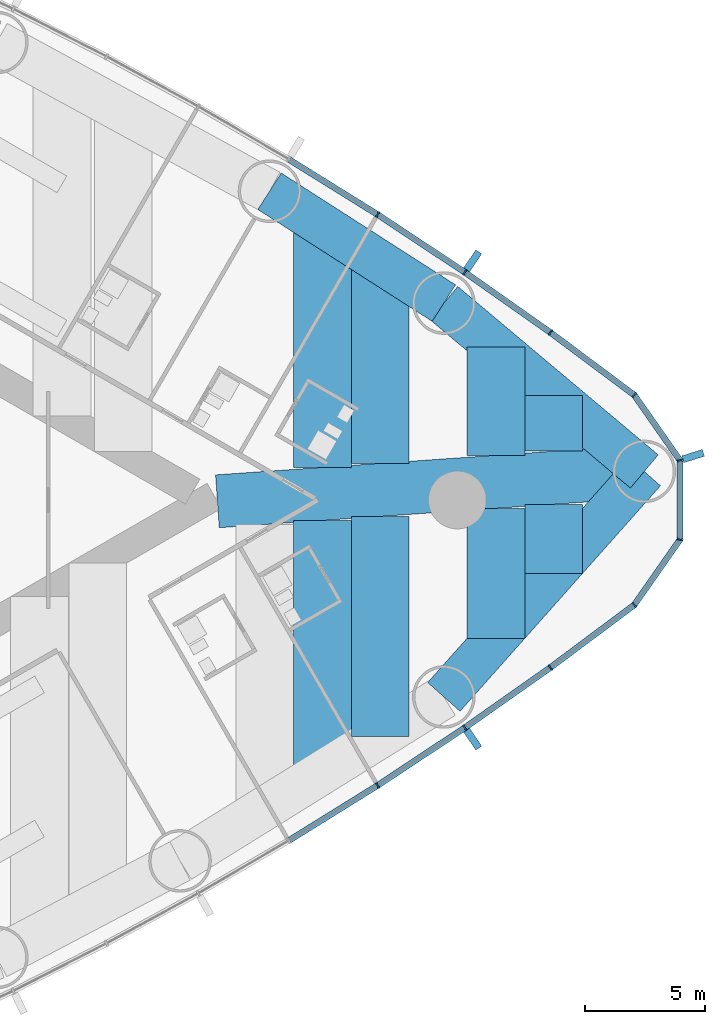
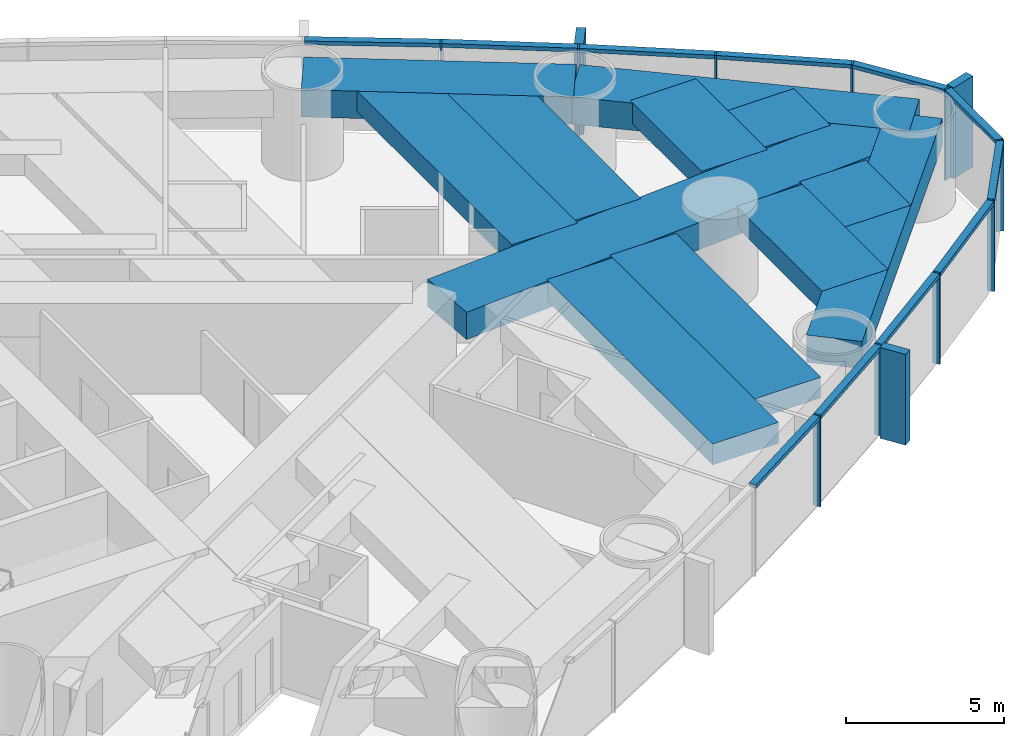
# One storey, part 8 of 18: 24 members, 12 beams, 1 element without a shape of its own.
"""IFC4 building model written with IfcOpenShell, lengths in metres."""

from ifc_helpers import new_model, si_unit, direction, frame, origin, origin_2d, place, context, subcontext, project, spatial, rectangle, extrude, material, material_profile, profile_set, type_object, element, aggregate, save


model = new_model("IFC4")

# Units and contexts
model_context = context("Model", 3, precision=1e-05, world=origin(), true_north=direction((0.0, 1.0)))
body_context = subcontext(model_context, "Body", "Model", "MODEL_VIEW")
ifc_project = project(units=[si_unit("LENGTHUNIT", "METRE"), si_unit("AREAUNIT", "SQUARE_METRE"), si_unit("VOLUMEUNIT", "CUBIC_METRE"), si_unit("PLANEANGLEUNIT", "RADIAN"), si_unit("MASSUNIT", "GRAM", prefix="KILO")], contexts=[model_context])

# Site, building, storey
site_placement = place(None, origin())
site = spatial("IfcSite", under=ifc_project, at=site_placement, CompositionType="ELEMENT")
building_placement = place(site_placement, origin())
building = spatial("IfcBuilding", under=site, at=building_placement, Name="Lancet Gate Hotel", CompositionType="ELEMENT")
storey_placement = place(building_placement, frame((0.0, 0.0, 104.60009765625)))
storey = spatial("IfcBuildingStorey", under=building, at=storey_placement, Name="L27", CompositionType="ELEMENT", Elevation=104.60009765625)

# Curtain wall, members
ifc_material_1 = material(Name="Aluminium curtain wall", Category="aluminium")
curtain_wall_type = type_object("IfcCurtainWallType", Name="Tower unitised curtain wall", PredefinedType="USERDEFINED", material=ifc_material_1)
curtain_wall_placement = place(storey_placement, origin())
curtain_wall = element("IfcCurtainWall", 1, at=curtain_wall_placement, inside=storey, type_object=curtain_wall_type, Name="T2 L27 curtain wall 1", ObjectType="UNITISED CURTAIN WALL", PredefinedType="USERDEFINED")
ifc_material_2 = material(Name="Aluminium mullion", Category="aluminium")
ifc_material_profile_1 = material_profile(ifc_material_2, rectangle(XDim=0.06494140625, YDim=0.25, at=origin_2d()), Name="MULLION 65x250")
ifc_profile_set_1 = profile_set([ifc_material_profile_1], Name="Aluminium mullion")
member_type_1 = type_object("IfcMemberType", Name="Aluminium mullion 65x250", PredefinedType="MULLION", material=ifc_profile_set_1)
member_1_placement = place(storey_placement, frame((58.188720703125, -11.8603515625, 0.0), z_axis=(0.0, 0.0, 1.0), x_axis=(0.841736224144, 0.539888996891, 0.0)))
member_1 = element("IfcMember", 2, at=member_1_placement, type_object=member_type_1, Name="T2 L27 curtain wall 1 mullion 13", PredefinedType="MULLION", context=body_context, shape_type="SweptSolid", body=[
    extrude(rectangle(XDim=0.06494140625, YDim=0.25, at=origin_2d()), origin(), (0.0, 0.0, 1.0), 3.5),
])
member_2_placement = place(storey_placement, frame((61.814208984375, -9.461669921875, 0.0), z_axis=(0.0, 0.0, 1.0), x_axis=(0.826065510491, 0.563574105489, 0.0)))
member_2 = element("IfcMember", 3, at=member_2_placement, type_object=member_type_1, Name="T2 L27 curtain wall 1 mullion 14", PredefinedType="MULLION", context=body_context, shape_type="SweptSolid", body=[
    extrude(rectangle(XDim=0.06494140625, YDim=0.25, at=origin_2d()), origin(), (0.0, 0.0, 1.0), 3.5),
])
member_3_placement = place(storey_placement, frame((65.370361328125, -6.9609375, 0.0), z_axis=(0.0, 0.0, 1.0), x_axis=(0.809728529035, 0.586804660229, 0.0)))
member_3 = element("IfcMember", 4, at=member_3_placement, type_object=member_type_1, Name="T2 L27 curtain wall 1 mullion 15", PredefinedType="MULLION", context=body_context, shape_type="SweptSolid", body=[
    extrude(rectangle(XDim=0.06494140625, YDim=0.25, at=origin_2d()), origin(), (0.0, 0.0, 1.0), 3.5),
])
member_4_placement = place(storey_placement, frame((68.853759765625, -4.360107421875, 0.0), z_axis=(0.0, 0.0, 1.0), x_axis=(0.711610374907, 0.702574319432, 0.0)))
member_4 = element("IfcMember", 5, at=member_4_placement, type_object=member_type_1, Name="T2 L27 curtain wall 1 mullion 16", PredefinedType="MULLION", context=body_context, shape_type="SweptSolid", body=[
    extrude(rectangle(XDim=0.06494140625, YDim=0.25, at=origin_2d()), origin(), (0.0, 0.0, 1.0), 3.5),
])
member_5_placement = place(storey_placement, frame((70.747314453125, -1.652099609375, 0.0), z_axis=(0.0, 0.0, 1.0), x_axis=(0.300384890639, 0.953818073574, 0.0)))
member_5 = element("IfcMember", 6, at=member_5_placement, type_object=member_type_1, Name="T2 L27 curtain wall 1 mullion 17", PredefinedType="MULLION", context=body_context, shape_type="SweptSolid", body=[
    extrude(rectangle(XDim=0.06494140625, YDim=0.25, at=origin_2d()), origin(), (0.0, 0.0, 1.0), 3.5),
])
member_6_placement = place(storey_placement, frame((70.747314453125, 1.652099609375, 0.0), z_axis=(0.0, 0.0, 1.0), x_axis=(-0.300384890639, 0.953818073574, 0.0)))
member_6 = element("IfcMember", 7, at=member_6_placement, type_object=member_type_1, Name="T2 L27 curtain wall 1 mullion 18", PredefinedType="MULLION", context=body_context, shape_type="SweptSolid", body=[
    extrude(rectangle(XDim=0.06494140625, YDim=0.25, at=origin_2d()), origin(), (0.0, 0.0, 1.0), 3.5),
])
member_7_placement = place(storey_placement, frame((68.853759765625, 4.360107421875, 0.0), z_axis=(0.0, 0.0, 1.0), x_axis=(-0.711610374907, 0.702574319432, 0.0)))
member_7 = element("IfcMember", 8, at=member_7_placement, type_object=member_type_1, Name="T2 L27 curtain wall 1 mullion 19", PredefinedType="MULLION", context=body_context, shape_type="SweptSolid", body=[
    extrude(rectangle(XDim=0.06494140625, YDim=0.25, at=origin_2d()), origin(), (0.0, 0.0, 1.0), 3.5),
])
member_8_placement = place(storey_placement, frame((65.370361328125, 6.9609375, 0.0), z_axis=(0.0, 0.0, 1.0), x_axis=(-0.809728529035, 0.586804660229, 0.0)))
member_8 = element("IfcMember", 9, at=member_8_placement, type_object=member_type_1, Name="T2 L27 curtain wall 1 mullion 20", PredefinedType="MULLION", context=body_context, shape_type="SweptSolid", body=[
    extrude(rectangle(XDim=0.06494140625, YDim=0.25, at=origin_2d()), origin(), (0.0, 0.0, 1.0), 3.5),
])
member_9_placement = place(storey_placement, frame((61.814208984375, 9.461669921875, 0.0), z_axis=(0.0, 0.0, 1.0), x_axis=(-0.826065510491, 0.563574105489, 0.0)))
member_9 = element("IfcMember", 10, at=member_9_placement, type_object=member_type_1, Name="T2 L27 curtain wall 1 mullion 21", PredefinedType="MULLION", context=body_context, shape_type="SweptSolid", body=[
    extrude(rectangle(XDim=0.06494140625, YDim=0.25, at=origin_2d()), origin(), (0.0, 0.0, 1.0), 3.5),
])
member_10_placement = place(storey_placement, frame((58.188720703125, 11.8603515625, 0.0), z_axis=(0.0, 0.0, 1.0), x_axis=(-0.841736224144, 0.539888996891, 0.0)))
member_10 = element("IfcMember", 11, at=member_10_placement, type_object=member_type_1, Name="T2 L27 curtain wall 1 mullion 22", PredefinedType="MULLION", context=body_context, shape_type="SweptSolid", body=[
    extrude(rectangle(XDim=0.06494140625, YDim=0.25, at=origin_2d()), origin(), (0.0, 0.0, 1.0), 3.5),
])
ifc_material_3 = material(Name="Aluminium transom", Category="aluminium")
ifc_material_profile_2 = material_profile(ifc_material_3, rectangle(XDim=0.25, YDim=0.14990234375, at=origin_2d()), Name="TRANSOM 250x150")
ifc_profile_set_2 = profile_set([ifc_material_profile_2], Name="Aluminium transom")
member_type_2 = type_object("IfcMemberType", Name="Aluminium transom 250x150", PredefinedType="USERDEFINED", material=ifc_profile_set_2)
member_11_placement = place(storey_placement, frame((54.52392578125, -14.13818359375, 3.4248046875), z_axis=(0.849308812566, 0.527896335371, 0.0), x_axis=(-0.527896335371, 0.849308812566, 0.0)))
member_11 = element("IfcMember", 12, at=member_11_placement, type_object=member_type_2, Name="T2 L27 curtain wall 1 transom 12", ObjectType="TRANSOM", PredefinedType="USERDEFINED", context=body_context, shape_type="SweptSolid", body=[
    extrude(rectangle(XDim=0.25, YDim=0.14990234375, at=origin_2d()), origin(), (0.0, 0.0, 1.0), 4.282470703125),
])
member_12_placement = place(storey_placement, frame((58.2158203125, -11.842529296875, 3.4248046875), z_axis=(0.833966159038, 0.551815590192, 0.0), x_axis=(-0.551815590192, 0.833966159038, 0.0)))
member_12 = element("IfcMember", 13, at=member_12_placement, type_object=member_type_2, Name="T2 L27 curtain wall 1 transom 13", ObjectType="TRANSOM", PredefinedType="USERDEFINED", context=body_context, shape_type="SweptSolid", body=[
    extrude(rectangle(XDim=0.25, YDim=0.14990234375, at=origin_2d()), origin(), (0.0, 0.0, 1.0), 4.2822265625),
])
member_13_placement = place(storey_placement, frame((61.8408203125, -9.44287109375, 3.4248046875), z_axis=(0.817987243547, 0.57523635959, 0.0), x_axis=(-0.57523635959, 0.817987243547, 0.0)))
member_13 = element("IfcMember", 14, at=member_13_placement, type_object=member_type_2, Name="T2 L27 curtain wall 1 transom 14", ObjectType="TRANSOM", PredefinedType="USERDEFINED", context=body_context, shape_type="SweptSolid", body=[
    extrude(rectangle(XDim=0.25, YDim=0.14990234375, at=origin_2d()), origin(), (0.0, 0.0, 1.0), 4.282470703125),
])
member_14_placement = place(storey_placement, frame((65.396240234375, -6.94140625, 3.4248046875), z_axis=(0.801311559064, 0.598247261014, 0.0), x_axis=(-0.598247261014, 0.801311559064, 0.0)))
member_14 = element("IfcMember", 15, at=member_14_placement, type_object=member_type_2, Name="T2 L27 curtain wall 1 transom 15", ObjectType="TRANSOM", PredefinedType="USERDEFINED", context=body_context, shape_type="SweptSolid", body=[
    extrude(rectangle(XDim=0.25, YDim=0.14990234375, at=origin_2d()), origin(), (0.0, 0.0, 1.0), 4.282470703125),
])
member_15_placement = place(storey_placement, frame((68.87255859375, -4.33349609375, 3.4248046875), z_axis=(0.573017137751, 0.819543384967, 0.0), x_axis=(-0.819543384967, 0.573017137751, 0.0)))
member_15 = element("IfcMember", 16, at=member_15_placement, type_object=member_type_2, Name="T2 L27 curtain wall 1 transom 16", ObjectType="TRANSOM", PredefinedType="USERDEFINED", context=body_context, shape_type="SweptSolid", body=[
    extrude(rectangle(XDim=0.25, YDim=0.14990234375, at=origin_2d()), origin(), (0.0, 0.0, 1.0), 3.2392578125),
])
member_16_placement = place(storey_placement, frame((70.747314453125, -1.61962890625, 3.4248046875), z_axis=(0.0, 1.0, 0.0), x_axis=(-1.0, 0.0, 0.0)))
member_16 = element("IfcMember", 17, at=member_16_placement, type_object=member_type_2, Name="T2 L27 curtain wall 1 transom 17", ObjectType="TRANSOM", PredefinedType="USERDEFINED", context=body_context, shape_type="SweptSolid", body=[
    extrude(rectangle(XDim=0.25, YDim=0.14990234375, at=origin_2d()), origin(), (0.0, 0.0, 1.0), 3.2392578125),
])
member_17_placement = place(storey_placement, frame((70.728759765625, 1.6787109375, 3.4248046875), z_axis=(-0.573017137751, 0.819543384967, 0.0), x_axis=(-0.819543384967, -0.573017137751, 0.0)))
member_17 = element("IfcMember", 18, at=member_17_placement, type_object=member_type_2, Name="T2 L27 curtain wall 1 transom 18", ObjectType="TRANSOM", PredefinedType="USERDEFINED", context=body_context, shape_type="SweptSolid", body=[
    extrude(rectangle(XDim=0.25, YDim=0.14990234375, at=origin_2d()), origin(), (0.0, 0.0, 1.0), 3.2392578125),
])
member_18_placement = place(storey_placement, frame((68.827880859375, 4.37939453125, 3.4248046875), z_axis=(-0.801311559064, 0.598247261014, 0.0), x_axis=(-0.598247261014, -0.801311559064, 0.0)))
member_18 = element("IfcMember", 19, at=member_18_placement, type_object=member_type_2, Name="T2 L27 curtain wall 1 transom 19", ObjectType="TRANSOM", PredefinedType="USERDEFINED", context=body_context, shape_type="SweptSolid", body=[
    extrude(rectangle(XDim=0.25, YDim=0.14990234375, at=origin_2d()), origin(), (0.0, 0.0, 1.0), 4.282470703125),
])
member_19_placement = place(storey_placement, frame((65.34375, 6.9794921875, 3.4248046875), z_axis=(-0.817987243547, 0.57523635959, 0.0), x_axis=(-0.57523635959, -0.817987243547, 0.0)))
member_19 = element("IfcMember", 20, at=member_19_placement, type_object=member_type_2, Name="T2 L27 curtain wall 1 transom 20", ObjectType="TRANSOM", PredefinedType="USERDEFINED", context=body_context, shape_type="SweptSolid", body=[
    extrude(rectangle(XDim=0.25, YDim=0.14990234375, at=origin_2d()), origin(), (0.0, 0.0, 1.0), 4.282470703125),
])
member_20_placement = place(storey_placement, frame((61.787109375, 9.4794921875, 3.4248046875), z_axis=(-0.833966159038, 0.551815590192, 0.0), x_axis=(-0.551815590192, -0.833966159038, 0.0)))
member_20 = element("IfcMember", 21, at=member_20_placement, type_object=member_type_2, Name="T2 L27 curtain wall 1 transom 21", ObjectType="TRANSOM", PredefinedType="USERDEFINED", context=body_context, shape_type="SweptSolid", body=[
    extrude(rectangle(XDim=0.25, YDim=0.14990234375, at=origin_2d()), origin(), (0.0, 0.0, 1.0), 4.2822265625),
])
member_21_placement = place(storey_placement, frame((58.1611328125, 11.87744140625, 3.4248046875), z_axis=(-0.849308812566, 0.527896335371, 0.0), x_axis=(-0.527896335371, -0.849308812566, 0.0)))
member_21 = element("IfcMember", 22, at=member_21_placement, type_object=member_type_2, Name="T2 L27 curtain wall 1 transom 22", ObjectType="TRANSOM", PredefinedType="USERDEFINED", context=body_context, shape_type="SweptSolid", body=[
    extrude(rectangle(XDim=0.25, YDim=0.14990234375, at=origin_2d()), origin(), (0.0, 0.0, 1.0), 4.282470703125),
])

# Beams
ifc_material_4 = material(Name="Concrete C50/60", Category="concrete")
ifc_material_profile_3 = material_profile(ifc_material_4, rectangle(XDim=1.800048828125, YDim=1.050048828125, at=origin_2d()), Name="RC 1800x1050")
ifc_profile_set_3 = profile_set([ifc_material_profile_3], Name="Concrete C50/60")
beam_type_1 = type_object("IfcBeamType", Name="Edge beam RC 1800x1050", PredefinedType="SPANDREL", material=ifc_profile_set_3)
beam_1_placement = place(storey_placement, frame((60.940673828125, -8.18115234375, 2.724853515625), z_axis=(0.664421866815, 0.74735773422, 0.0), x_axis=(-0.74735773422, 0.664421866815, 0.0)))
element("IfcBeam", 23, at=beam_1_placement, inside=storey, type_object=beam_type_1, Name="T2 edge beam EB1 L27", PredefinedType="SPANDREL", context=body_context, shape_type="SweptSolid", body=[
    extrude(rectangle(XDim=1.800048828125, YDim=1.050048828125, at=origin_2d()), origin(), (0.0, 0.0, 1.0), 12.534423828125),
])
beam_2_placement = place(storey_placement, frame((69.268798828125, 1.1865234375, 2.724853515625), z_axis=(-0.765749969712, 0.643138386264, 0.0), x_axis=(-0.643138386264, -0.765749969712, 0.0)))
element("IfcBeam", 24, at=beam_2_placement, inside=storey, type_object=beam_type_1, Name="T2 edge beam EB1 L27", PredefinedType="SPANDREL", context=body_context, shape_type="SweptSolid", body=[
    extrude(rectangle(XDim=1.800048828125, YDim=1.050048828125, at=origin_2d()), origin(), (0.0, 0.0, 1.0), 10.875732421875),
])
beam_3_placement = place(storey_placement, frame((60.940673828125, 8.18115234375, 2.724853515625), z_axis=(-0.841727408736, 0.539902740669, 0.0), x_axis=(-0.539902740669, -0.841727408736, 0.0)))
element("IfcBeam", 25, at=beam_3_placement, inside=storey, type_object=beam_type_1, Name="T2 edge beam EB1 L27", PredefinedType="SPANDREL", context=body_context, shape_type="SweptSolid", body=[
    extrude(rectangle(XDim=1.800048828125, YDim=1.050048828125, at=origin_2d()), origin(), (0.0, 0.0, 1.0), 8.605712890625),
])

# Member
ifc_material_5 = material(Name="Precast concrete C50/60", Category="concrete")
ifc_material_profile_4 = material_profile(ifc_material_5, rectangle(XDim=0.300048828125, YDim=0.89990234375, at=origin_2d()), Name="FIN 300x900")
ifc_profile_set_4 = profile_set([ifc_material_profile_4], Name="Precast concrete C50/60")
member_type_3 = type_object("IfcMemberType", Name="Exposed concrete fin 300x900", PredefinedType="USERDEFINED", material=ifc_profile_set_4)
member_22_placement = place(storey_placement, frame((62.138427734375, -9.9365234375, 0.0), z_axis=(0.0, 0.0, 1.0), x_axis=(0.826065510491, 0.563574105489, 0.0)))
member_22 = element("IfcMember", 26, at=member_22_placement, type_object=member_type_3, Name="T2 L27 curtain wall 1 fin 14", ObjectType="FIN", PredefinedType="USERDEFINED", context=body_context, shape_type="SweptSolid", body=[
    extrude(rectangle(XDim=0.300048828125, YDim=0.89990234375, at=origin_2d()), origin(), (0.0, 0.0, 1.0), 3.5),
])

member_23_placement = place(storey_placement, frame((71.295654296875, 1.824951171875, 0.0), z_axis=(0.0, 0.0, 1.0), x_axis=(-0.300384890639, 0.953818073574, 0.0)))
member_23 = element("IfcMember", 27, at=member_23_placement, type_object=member_type_3, Name="T2 L27 curtain wall 1 fin 18", ObjectType="FIN", PredefinedType="USERDEFINED", context=body_context, shape_type="SweptSolid", body=[
    extrude(rectangle(XDim=0.300048828125, YDim=0.89990234375, at=origin_2d()), origin(), (0.0, 0.0, 1.0), 3.5),
])

member_24_placement = place(storey_placement, frame((62.138427734375, 9.9365234375, 0.0), z_axis=(0.0, 0.0, 1.0), x_axis=(-0.826065510491, 0.563574105489, 0.0)))
member_24 = element("IfcMember", 28, at=member_24_placement, type_object=member_type_3, Name="T2 L27 curtain wall 1 fin 21", ObjectType="FIN", PredefinedType="USERDEFINED", context=body_context, shape_type="SweptSolid", body=[
    extrude(rectangle(XDim=0.300048828125, YDim=0.89990234375, at=origin_2d()), origin(), (0.0, 0.0, 1.0), 3.5),
])

aggregate(curtain_wall, [member_1, member_2, member_22, member_3, member_4, member_5, member_6, member_23, member_7, member_8, member_9, member_24, member_10, member_11, member_12, member_13, member_14, member_15, member_16, member_17, member_18, member_19, member_20, member_21])

# Beams
ifc_material_6 = material(Name="Concrete C50/60", Category="concrete")
ifc_material_profile_5 = material_profile(ifc_material_6, rectangle(XDim=2.39990234375, YDim=0.800048828125, at=origin_2d()), Name="RC 2400x800")
ifc_profile_set_5 = profile_set([ifc_material_profile_5], Name="Concrete C50/60")
beam_type_2 = type_object("IfcBeamType", Name="Floor beam RC 2400x800", PredefinedType="BEAM", material=ifc_profile_set_5)
beam_4_placement = place(storey_placement, frame((55.90234375, -11.312744140625, 2.849853515625), z_axis=(0.0, 1.0, 0.0), x_axis=(-1.0, 0.0, 0.0)))
element("IfcBeam", 29, at=beam_4_placement, inside=storey, type_object=beam_type_2, Name="T2 floor beam F14S L27", PredefinedType="BEAM", context=body_context, shape_type="SweptSolid", body=[
    extrude(rectangle(XDim=2.39990234375, YDim=0.800048828125, at=origin_2d()), origin(), (0.0, 0.0, 1.0), 10.4619140625),
])
beam_5_placement = place(storey_placement, frame((55.90234375, 1.3544921875, 2.849853515625), z_axis=(0.0, 1.0, 0.0), x_axis=(-1.0, 0.0, 0.0)))
element("IfcBeam", 30, at=beam_5_placement, inside=storey, type_object=beam_type_2, Name="T2 floor beam F15N L27", PredefinedType="BEAM", context=body_context, shape_type="SweptSolid", body=[
    extrude(rectangle(XDim=2.39990234375, YDim=0.800048828125, at=origin_2d()), origin(), (0.0, 0.0, 1.0), 10.058349609375),
])
beam_6_placement = place(storey_placement, frame((58.30224609375, -9.821044921875, 2.849853515625), z_axis=(0.0, 1.0, 0.0), x_axis=(-1.0, 0.0, 0.0)))
element("IfcBeam", 31, at=beam_6_placement, inside=storey, type_object=beam_type_2, Name="T2 floor beam F16S L27", PredefinedType="BEAM", context=body_context, shape_type="SweptSolid", body=[
    extrude(rectangle(XDim=2.39990234375, YDim=0.800048828125, at=origin_2d()), origin(), (0.0, 0.0, 1.0), 9.137939453125),
])
beam_7_placement = place(storey_placement, frame((58.30224609375, 1.522216796875, 2.849853515625), z_axis=(0.0, 1.0, 0.0), x_axis=(-1.0, 0.0, 0.0)))
element("IfcBeam", 32, at=beam_7_placement, inside=storey, type_object=beam_type_2, Name="T2 floor beam F17N L27", PredefinedType="BEAM", context=body_context, shape_type="SweptSolid", body=[
    extrude(rectangle(XDim=2.39990234375, YDim=0.800048828125, at=origin_2d()), origin(), (0.0, 0.0, 1.0), 8.351318359375),
])
beam_8_placement = place(storey_placement, frame((63.102294921875, -5.75, 2.849853515625), z_axis=(0.0, 1.0, 0.0), x_axis=(-1.0, 0.0, 0.0)))
element("IfcBeam", 33, at=beam_8_placement, inside=storey, type_object=beam_type_2, Name="T2 floor beam F18S L27", PredefinedType="BEAM", context=body_context, shape_type="SweptSolid", body=[
    extrude(rectangle(XDim=2.39990234375, YDim=0.800048828125, at=origin_2d()), origin(), (0.0, 0.0, 1.0), 5.402587890625),
])
beam_9_placement = place(storey_placement, frame((63.102294921875, 1.85791015625, 2.849853515625), z_axis=(0.0, 1.0, 0.0), x_axis=(-1.0, 0.0, 0.0)))
element("IfcBeam", 34, at=beam_9_placement, inside=storey, type_object=beam_type_2, Name="T2 floor beam F19N L27", PredefinedType="BEAM", context=body_context, shape_type="SweptSolid", body=[
    extrude(rectangle(XDim=2.39990234375, YDim=0.800048828125, at=origin_2d()), origin(), (0.0, 0.0, 1.0), 4.5078125),
])
beam_10_placement = place(storey_placement, frame((65.502197265625, -3.05029296875, 2.849853515625), z_axis=(0.0, 1.0, 0.0), x_axis=(-1.0, 0.0, 0.0)))
element("IfcBeam", 35, at=beam_10_placement, inside=storey, type_object=beam_type_2, Name="T2 floor beam F20S L27", PredefinedType="BEAM", context=body_context, shape_type="SweptSolid", body=[
    extrude(rectangle(XDim=2.39990234375, YDim=0.800048828125, at=origin_2d()), origin(), (0.0, 0.0, 1.0), 2.87060546875),
])
beam_11_placement = place(storey_placement, frame((65.502197265625, 2.02587890625, 2.849853515625), z_axis=(0.0, 1.0, 0.0), x_axis=(-1.0, 0.0, 0.0)))
element("IfcBeam", 36, at=beam_11_placement, inside=storey, type_object=beam_type_2, Name="T2 floor beam F21N L27", PredefinedType="BEAM", context=body_context, shape_type="SweptSolid", body=[
    extrude(rectangle(XDim=2.39990234375, YDim=0.800048828125, at=origin_2d()), origin(), (0.0, 0.0, 1.0), 2.32421875),
])
ifc_material_7 = material(Name="Concrete C50/60", Category="concrete")
ifc_material_profile_6 = material_profile(ifc_material_7, rectangle(XDim=2.199951171875, YDim=1.050048828125, at=origin_2d()), Name="RC 2200x1050")
ifc_profile_set_6 = profile_set([ifc_material_profile_6], Name="Concrete C50/60")
beam_type_3 = type_object("IfcBeamType", Name="Radial floor beam RC 2200x1050", PredefinedType="BEAM", material=ifc_profile_set_6)
beam_12_placement = place(storey_placement, frame((69.268798828125, 1.1865234375, 2.724853515625), z_axis=(-0.99756389092, -0.069758752369, 0.0), x_axis=(0.069758752369, -0.99756389092, 0.0)))
element("IfcBeam", 37, at=beam_12_placement, inside=storey, type_object=beam_type_3, Name="T2 radial beam CA L27", PredefinedType="BEAM", context=body_context, shape_type="SweptSolid", body=[
    extrude(rectangle(XDim=2.199951171875, YDim=1.050048828125, at=origin_2d()), origin(), (0.0, 0.0, 1.0), 17.77880859375),
])

save(model, "model.ifc")
